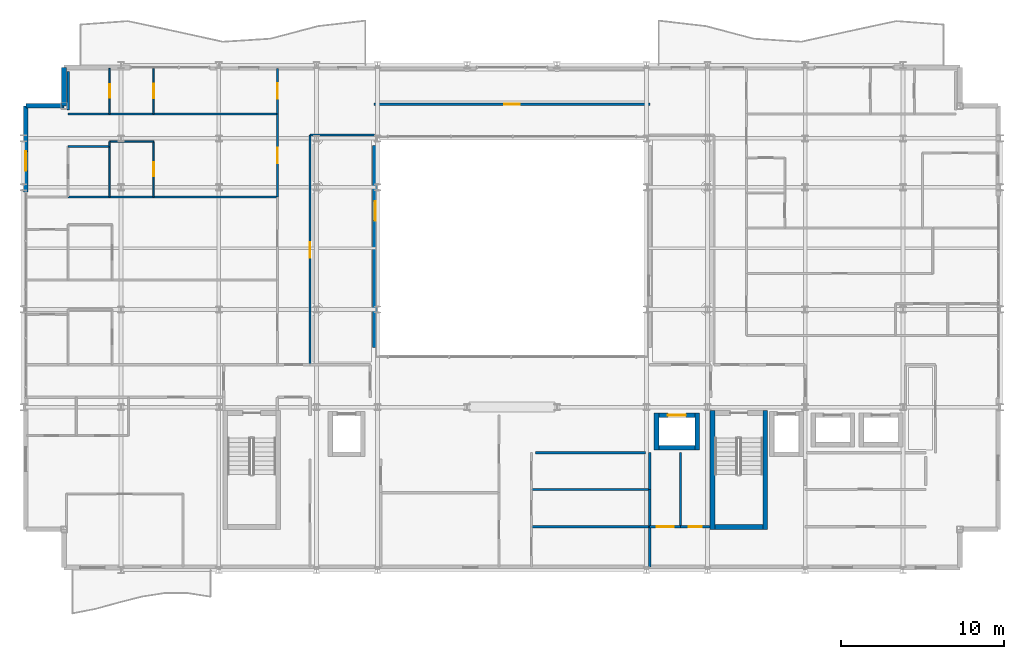
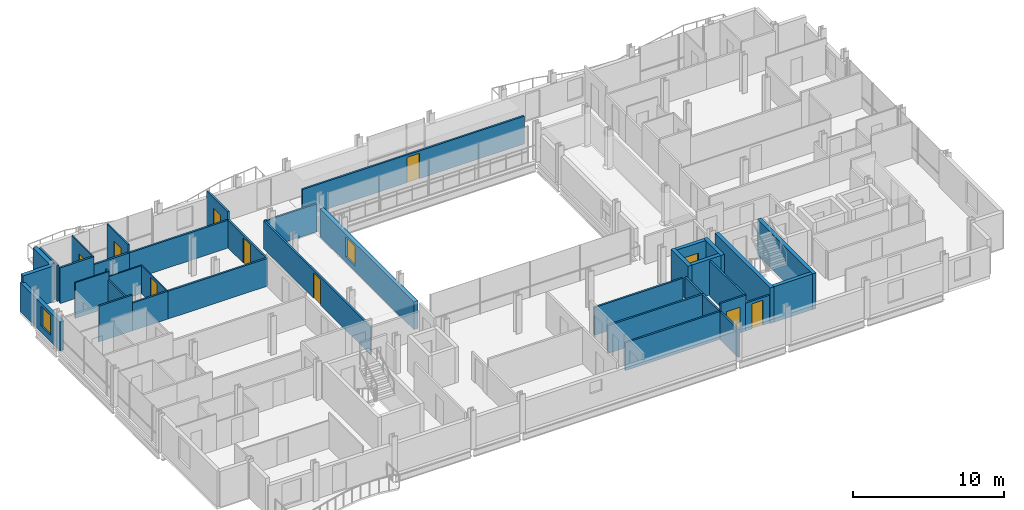
# One storey, part 35 of 41: 39 walls, 10 doors, 2 windows, 12 openings.
"""IFC4 building model written with IfcOpenShell, lengths in metres."""

from ifc_helpers import new_model, si_unit, direction, frame, frame_2d, origin, place, context, subcontext, project, spatial, rectangle, extrude, material, layer, layer_set, type_object, element, fill, save


model = new_model("IFC4")

# Units and contexts
model_context = context("Model", 3, precision=1e-05, world=origin(), true_north=direction((0.0, 1.0)))
body_context = subcontext(model_context, "Body", "Model", "MODEL_VIEW")
ifc_project = project(units=[si_unit("LENGTHUNIT", "METRE"), si_unit("AREAUNIT", "SQUARE_METRE"), si_unit("VOLUMEUNIT", "CUBIC_METRE"), si_unit("PLANEANGLEUNIT", "RADIAN"), si_unit("MASSUNIT", "GRAM", prefix="KILO")], contexts=[model_context])

# Site, building, storey
site_placement = place(None, origin())
site = spatial("IfcSite", under=ifc_project, at=site_placement, CompositionType="ELEMENT")
building_placement = place(site_placement, origin())
building = spatial("IfcBuilding", under=site, at=building_placement, Name="Brevholm Reach", CompositionType="ELEMENT")
storey_placement = place(building_placement, frame((0.0, 0.0, 151.10009765625)))
storey = spatial("IfcBuildingStorey", under=building, at=storey_placement, Name="L45", CompositionType="ELEMENT", Elevation=151.10009765625)

# Walls
ifc_material_1 = material(Name="Concrete C50/60", Category="concrete")
ifc_layer_1 = layer(ifc_material_1, 0.280029296875)
ifc_layer_set_1 = layer_set([ifc_layer_1], Name="Concrete C50/60")
wall_type_1 = type_object("IfcWallType", Name="WAL-COR-280", PredefinedType="SHEAR", material=ifc_layer_set_1)
for number, where, z_axis, x_axis, name in (
    (1, (42.31005859375, 2.5, 0.0), (0.0, 0.0, 1.0), (0.0, 1.0, 0.0), "L45 Escape Stair ST-2 Core Wall W"),
    (2, (45.5400390625, 2.5, 0.0), (0.0, 0.0, 1.0), (0.0, 1.0, 0.0), "L45 Escape Stair ST-2 Core Wall E"),
):
    element("IfcWall", number, at=place(storey_placement, frame(where, z_axis=z_axis, x_axis=x_axis)), inside=storey, type_object=wall_type_1, Name=name, PredefinedType="SHEAR", context=body_context, shape_type="SweptSolid", body=[
        extrude(rectangle(XDim=7.280029296875, YDim=0.280029296875, at=frame_2d((3.64013671875, 0.0))), origin(), (0.0, 0.0, 1.0), 2.8798828125),
    ])
wall_1_placement = place(storey_placement, frame((42.449951171875, 2.639892578125, 0.0), z_axis=(0.0, 0.0, 1.0), x_axis=(1.0, 0.0, 0.0)))
element("IfcWall", 3, at=wall_1_placement, inside=storey, type_object=wall_type_1, Name="L45 Escape Stair ST-2 Core Wall S", PredefinedType="SHEAR", context=body_context, shape_type="SweptSolid", body=[
    extrude(rectangle(XDim=2.949951171875, YDim=0.280029296875, at=frame_2d((1.47509765625, 0.0))), origin(), (0.0, 0.0, 1.0), 2.8798828125),
])
for number, where, z_axis, x_axis, name in (
    (4, (38.8701171875, 7.360107421875, 0.0), (0.0, 0.0, 1.0), (0.0, 1.0, 0.0), "L45 Lift PL-S1 Shaft Wall W"),
    (5, (41.3701171875, 7.360107421875, 0.0), (0.0, 0.0, 1.0), (0.0, 1.0, 0.0), "L45 Lift PL-S1 Shaft Wall E"),
):
    element("IfcWall", number, at=place(storey_placement, frame(where, z_axis=z_axis, x_axis=x_axis)), inside=storey, type_object=wall_type_1, Name=name, PredefinedType="SHEAR", context=body_context, shape_type="SweptSolid", body=[
        extrude(rectangle(XDim=2.27978515625, YDim=0.280029296875, at=frame_2d((1.139892578125, 0.0))), origin(), (0.0, 0.0, 1.0), 2.8798828125),
    ])
wall_2_placement = place(storey_placement, frame((39.010009765625, 7.5, 0.0), z_axis=(0.0, 0.0, 1.0), x_axis=(1.0, 0.0, 0.0)))
element("IfcWall", 6, at=wall_2_placement, inside=storey, type_object=wall_type_1, Name="L45 Lift PL-S1 Shaft Wall S", PredefinedType="SHEAR", context=body_context, shape_type="SweptSolid", body=[
    extrude(rectangle(XDim=2.219970703125, YDim=0.280029296875, at=frame_2d((1.10986328125, 0.0))), origin(), (0.0, 0.0, 1.0), 2.8798828125),
])

# Wall, opening, door
wall_3_placement = place(storey_placement, frame((39.010009765625, 9.5, 0.0), z_axis=(0.0, 0.0, 1.0), x_axis=(1.0, 0.0, 0.0)))
wall_3 = element("IfcWall", 7, at=wall_3_placement, inside=storey, type_object=wall_type_1, Name="L45 Lift PL-S1 Shaft Wall N", PredefinedType="SHEAR", context=body_context, shape_type="SweptSolid", body=[
    extrude(rectangle(XDim=2.219970703125, YDim=0.280029296875, at=frame_2d((1.10986328125, 0.0))), origin(), (0.0, 0.0, 1.0), 2.8798828125),
])
opening_1_placement = place(wall_3_placement, frame((0.56005859375, 0.0, 0.0)))
opening_1 = element("IfcOpeningElement", 8, at=opening_1_placement, cuts=wall_3, Name="Opening LD-PL-S1", PredefinedType="OPENING", context=body_context, shape_type="SweptSolid", body=[
    extrude(rectangle(XDim=1.10009765625, YDim=2.06005859375, at=frame_2d((0.550048828125, 1.030029296875))), frame((0.0, 0.14990234375, 0.0), z_axis=(0.0, -1.0, 0.0), x_axis=(1.0, 0.0, 0.0)), (0.0, 0.0, 1.0), 0.300048828125),
])
ifc_material_2 = material(Name="Brushed Stainless Steel Fire-Rated Sliding Lift Door", Category="steel")
door_type_1 = type_object("IfcDoorType", Name="DOR-LFT-1100", OperationType="NOTDEFINED", PredefinedType="DOOR", material=ifc_material_2)
door_1_placement = place(opening_1_placement, origin())
door_1 = element("IfcDoor", 9, at=door_1_placement, inside=storey, type_object=door_type_1, Name="L45 Lift PL-S1 Sliding Landing Door", OperationType="SLIDING_TO_LEFT", OverallHeight=2.06005859375, OverallWidth=1.10009765625, PredefinedType="DOOR", context=body_context, shape_type="SweptSolid", body=[
    extrude(rectangle(XDim=1.10009765625, YDim=2.06005859375, at=frame_2d((0.550048828125, 1.030029296875))), frame((0.0, 0.02490234375, 0.0), z_axis=(0.0, -1.0, 0.0), x_axis=(1.0, 0.0, 0.0)), (0.0, 0.0, 1.0), 0.050048828125),
])
fill(opening_1, door_1)

# Walls
ifc_material_3 = material(Name="Concrete C40/50", Category="concrete")
ifc_layer_2 = layer(ifc_material_3, 0.300048828125)
ifc_layer_set_2 = layer_set([ifc_layer_2], Name="Concrete C40/50")
wall_type_2 = type_object("IfcWallType", Name="WAL-EXT-300", PredefinedType="STANDARD", material=ifc_layer_set_2)
for number, where, z_axis, x_axis, name in (
    (10, (2.5, 30.85009765625, 0.0), (0.0, 0.0, 1.0), (0.0, -1.0, 0.0), "L45 Facade Wall WAL-L45-CNW1"),
    (11, (2.5, 28.5, 0.0), (0.0, 0.0, 1.0), (-1.0, 0.0, 0.0), "L45 Facade Wall WAL-L45-CNW2"),
):
    element("IfcWall", number, at=place(storey_placement, frame(where, z_axis=z_axis, x_axis=x_axis)), inside=storey, type_object=wall_type_2, Name=name, PredefinedType="STANDARD", context=body_context, shape_type="SweptSolid", body=[
        extrude(rectangle(XDim=2.35009765625, YDim=0.300048828125, at=frame_2d((1.175048828125, 0.0))), origin(), (0.0, 0.0, 1.0), 2.8798828125),
    ])

# Wall, opening, window
wall_4_placement = place(storey_placement, frame((0.14990234375, 28.5, 0.0), z_axis=(0.0, 0.0, 1.0), x_axis=(0.0, -1.0, 0.0)))
wall_4 = element("IfcWall", 12, at=wall_4_placement, inside=storey, type_object=wall_type_2, Name="L45 Facade Wall WAL-L45-W-N", PredefinedType="STANDARD", context=body_context, shape_type="SweptSolid", body=[
    extrude(rectangle(XDim=5.280029296875, YDim=0.300048828125, at=frame_2d((2.64013671875, 0.0))), origin(), (0.0, 0.0, 1.0), 2.32177734375),
])
opening_2_placement = place(wall_4_placement, frame((2.800048828125, 0.0, 0.501953125)))
opening_2 = element("IfcOpeningElement", 13, at=opening_2_placement, cuts=wall_4, Name="Opening WN-08", PredefinedType="OPENING", context=body_context, shape_type="SweptSolid", body=[
    extrude(rectangle(XDim=1.199951171875, YDim=1.60009765625, at=frame_2d((0.60009765625, 0.800048828125))), frame((0.0, 0.159912109375, 0.0), z_axis=(0.0, -1.0, 0.0), x_axis=(1.0, 0.0, 0.0)), (0.0, 0.0, 1.0), 0.320068359375),
])
ifc_material_4 = material(Name="Dark Anodised Aluminium and Solar-Control IGU Glass", Category="aluminium")
window_type = type_object("IfcWindowType", Name="WIN-RES-1200", PartitioningType="SINGLE_PANEL", PredefinedType="WINDOW", material=ifc_material_4)
window_1_placement = place(opening_2_placement, origin())
window_1 = element("IfcWindow", 14, at=window_1_placement, inside=storey, type_object=window_type, Name="L45 Window WIN-L45-WN-1", OverallHeight=1.60009765625, OverallWidth=1.199951171875, PartitioningType="SINGLE_PANEL", PredefinedType="WINDOW", context=body_context, shape_type="SweptSolid", body=[
    extrude(rectangle(XDim=1.199951171875, YDim=1.60009765625, at=frame_2d((0.60009765625, 0.800048828125))), frame((0.0, 0.030029296875, 0.0), z_axis=(0.0, -1.0, 0.0), x_axis=(1.0, 0.0, 0.0)), (0.0, 0.0, 1.0), 0.06005859375),
])
fill(opening_2, window_1)

wall_5_placement = place(storey_placement, frame((21.60009765625, 26.050048828125, 0.0), z_axis=(0.0, 0.0, 1.0), x_axis=(0.0, -1.0, 0.0)))
wall_5 = element("IfcWall", 15, at=wall_5_placement, inside=storey, type_object=wall_type_2, Name="L45 Facade Wall WAL-L45-AT-W", PredefinedType="STANDARD", context=body_context, shape_type="SweptSolid", body=[
    extrude(rectangle(XDim=12.400146484375, YDim=0.300048828125, at=frame_2d((6.2001953125, 0.0))), origin(), (0.0, 0.0, 1.0), 2.24267578125),
])
opening_3_placement = place(wall_5_placement, frame((3.39990234375, 0.0, 0.423095703125)))
opening_3 = element("IfcOpeningElement", 16, at=opening_3_placement, cuts=wall_5, Name="Opening WN-08", PredefinedType="OPENING", context=body_context, shape_type="SweptSolid", body=[
    extrude(rectangle(XDim=1.199951171875, YDim=1.60009765625, at=frame_2d((0.60009765625, 0.800048828125))), frame((0.0, 0.159912109375, 0.0), z_axis=(0.0, -1.0, 0.0), x_axis=(1.0, 0.0, 0.0)), (0.0, 0.0, 1.0), 0.320068359375),
])
window_2_placement = place(opening_3_placement, origin())
window_2 = element("IfcWindow", 17, at=window_2_placement, inside=storey, type_object=window_type, Name="L45 Window WIN-L45-AT-W1", OverallHeight=1.60009765625, OverallWidth=1.199951171875, PartitioningType="SINGLE_PANEL", PredefinedType="WINDOW", context=body_context, shape_type="SweptSolid", body=[
    extrude(rectangle(XDim=1.199951171875, YDim=1.60009765625, at=frame_2d((0.60009765625, 0.800048828125))), frame((0.0, 0.030029296875, 0.0), z_axis=(0.0, -1.0, 0.0), x_axis=(1.0, 0.0, 0.0)), (0.0, 0.0, 1.0), 0.06005859375),
])
fill(opening_3, window_2)

# Walls
ifc_material_5 = material(Name="Moisture-Resistant Acoustic Gypsum Stud Partition 100 mm", Category="gypsum")
ifc_layer_3 = layer(ifc_material_5, 0.10009765625)
ifc_layer_set_3 = layer_set([ifc_layer_3], Name="Moisture-Resistant Acoustic Gypsum Stud Partition 100 mm")
wall_type_3 = type_object("IfcWallType", Name="WAL-PRT-100", PredefinedType="PARTITIONING", material=ifc_layer_set_3)
wall_6_placement = place(storey_placement, frame((5.300048828125, 22.904052734375, 0.0), z_axis=(0.0, 0.0, 1.0), x_axis=(0.0, 1.0, 0.0)))
element("IfcWall", 18, at=wall_6_placement, inside=storey, type_object=wall_type_3, Name="L45 Internal Partition 086", PredefinedType="PARTITIONING", context=body_context, shape_type="SweptSolid", body=[
    extrude(rectangle(XDim=3.095947265625, YDim=0.10009765625, at=frame_2d((1.5478515625, 0.0))), origin(), (0.0, 0.0, 1.0), 2.24267578125),
])
wall_7_placement = place(storey_placement, frame((2.75, 26.0, 0.0), z_axis=(0.0, 0.0, 1.0), x_axis=(1.0, 0.0, 0.0)))
element("IfcWall", 19, at=wall_7_placement, inside=storey, type_object=wall_type_3, Name="L45 Internal Partition 087", PredefinedType="PARTITIONING", context=body_context, shape_type="SweptSolid", body=[
    extrude(rectangle(XDim=2.550048828125, YDim=0.10009765625, at=frame_2d((1.27490234375, 0.0))), origin(), (0.0, 0.0, 1.0), 2.8798828125),
])

# Wall, opening, door
wall_8_placement = place(storey_placement, frame((8.0, 22.904052734375, 0.0), z_axis=(0.0, 0.0, 1.0), x_axis=(0.0, 1.0, 0.0)))
wall_8 = element("IfcWall", 20, at=wall_8_placement, inside=storey, type_object=wall_type_3, Name="L45 Internal Partition 089", PredefinedType="PARTITIONING", context=body_context, shape_type="SweptSolid", body=[
    extrude(rectangle(XDim=3.39599609375, YDim=0.10009765625, at=frame_2d((1.697998046875, 0.0))), origin(), (0.0, 0.0, 1.0), 2.24267578125),
])
opening_4_placement = place(wall_8_placement, frame((1.258056640625, 0.0, 0.0)))
opening_4 = element("IfcOpeningElement", 21, at=opening_4_placement, cuts=wall_8, Name="Opening ID-01", PredefinedType="OPENING", context=body_context, shape_type="SweptSolid", body=[
    extrude(rectangle(XDim=0.8798828125, YDim=2.0400390625, at=frame_2d((0.43994140625, 1.02001953125))), frame((0.0, 0.06005859375, 0.0), z_axis=(0.0, -1.0, 0.0), x_axis=(1.0, 0.0, 0.0)), (0.0, 0.0, 1.0), 0.1201171875),
])
ifc_material_6 = material(Name="Lacquered Ash Solid-Core Acoustic Internal Door", Category="timber")
door_type_2 = type_object("IfcDoorType", Name="DOR-INT-880", OperationType="NOTDEFINED", PredefinedType="DOOR", material=ifc_material_6)
door_2_placement = place(opening_4_placement, origin())
door_2 = element("IfcDoor", 22, at=door_2_placement, inside=storey, type_object=door_type_2, Name="L45 Internal Door 039", OperationType="SINGLE_SWING_LEFT", OverallHeight=2.0400390625, OverallWidth=0.8798828125, PredefinedType="DOOR", context=body_context, shape_type="SweptSolid", body=[
    extrude(rectangle(XDim=0.8798828125, YDim=2.0400390625, at=frame_2d((0.43994140625, 1.02001953125))), frame((0.0, 0.02490234375, 0.0), z_axis=(0.0, -1.0, 0.0), x_axis=(1.0, 0.0, 0.0)), (0.0, 0.0, 1.0), 0.050048828125),
])
fill(opening_4, door_2)

# Walls
wall_9_placement = place(storey_placement, frame((5.300048828125, 26.300048828125, 0.0), z_axis=(0.0, 0.0, 1.0), x_axis=(1.0, 0.0, 0.0)))
element("IfcWall", 23, at=wall_9_placement, inside=storey, type_object=wall_type_3, Name="L45 Internal Partition 090", PredefinedType="PARTITIONING", context=body_context, shape_type="SweptSolid", body=[
    extrude(rectangle(XDim=2.699951171875, YDim=0.10009765625, at=frame_2d((1.35009765625, 0.0))), origin(), (0.0, 0.0, 1.0), 2.24267578125),
])
wall_10_placement = place(storey_placement, frame((5.300048828125, 26.00390625, 0.0), z_axis=(0.0, 0.0, 1.0), x_axis=(0.0, 1.0, 0.0)))
element("IfcWall", 24, at=wall_10_placement, inside=storey, type_object=wall_type_3, Name="L45 Internal Partition 091", PredefinedType="PARTITIONING", context=body_context, shape_type="SweptSolid", body=[
    extrude(rectangle(XDim=0.296142578125, YDim=0.10009765625, at=frame_2d((0.14794921875, 0.0))), origin(), (0.0, 0.0, 1.0), 2.8798828125),
])

# Wall, opening, door
wall_11_placement = place(storey_placement, frame((5.300048828125, 28.00390625, 0.0), z_axis=(0.0, 0.0, 1.0), x_axis=(0.0, 1.0, 0.0)))
wall_11 = element("IfcWall", 25, at=wall_11_placement, inside=storey, type_object=wall_type_3, Name="L45 Internal Partition 114", PredefinedType="PARTITIONING", context=body_context, shape_type="SweptSolid", body=[
    extrude(rectangle(XDim=2.796142578125, YDim=0.10009765625, at=frame_2d((1.39794921875, 0.0))), origin(), (0.0, 0.0, 1.0), 2.8798828125),
])
opening_5_placement = place(wall_11_placement, frame((0.988037109375, 0.0, 0.0)))
opening_5 = element("IfcOpeningElement", 26, at=opening_5_placement, cuts=wall_11, Name="Opening ID-03", PredefinedType="OPENING", context=body_context, shape_type="SweptSolid", body=[
    extrude(rectangle(XDim=0.820068359375, YDim=2.02001953125, at=frame_2d((0.41015625, 1.010009765625))), frame((0.0, 0.06005859375, 0.0), z_axis=(0.0, -1.0, 0.0), x_axis=(1.0, 0.0, 0.0)), (0.0, 0.0, 1.0), 0.1201171875),
])
ifc_material_7 = material(Name="Moisture-Resistant Painted Timber Internal Bathroom Door", Category="wood")
door_type_3 = type_object("IfcDoorType", Name="DOR-BATH-820", OperationType="NOTDEFINED", PredefinedType="DOOR", material=ifc_material_7)
door_3_placement = place(opening_5_placement, origin())
door_3 = element("IfcDoor", 27, at=door_3_placement, inside=storey, type_object=door_type_3, Name="L45 Access Door 049", OperationType="SINGLE_SWING_LEFT", OverallHeight=2.02001953125, OverallWidth=0.820068359375, PredefinedType="DOOR", context=body_context, shape_type="SweptSolid", body=[
    extrude(rectangle(XDim=0.820068359375, YDim=2.02001953125, at=frame_2d((0.41015625, 1.010009765625))), frame((0.0, 0.02490234375, 0.0), z_axis=(0.0, -1.0, 0.0), x_axis=(1.0, 0.0, 0.0)), (0.0, 0.0, 1.0), 0.050048828125),
])
fill(opening_5, door_3)

wall_12_placement = place(storey_placement, frame((8.0, 28.00390625, 0.0), z_axis=(0.0, 0.0, 1.0), x_axis=(0.0, 1.0, 0.0)))
wall_12 = element("IfcWall", 28, at=wall_12_placement, inside=storey, type_object=wall_type_3, Name="L45 Internal Partition 115", PredefinedType="PARTITIONING", context=body_context, shape_type="SweptSolid", body=[
    extrude(rectangle(XDim=2.796142578125, YDim=0.10009765625, at=frame_2d((1.39794921875, 0.0))), origin(), (0.0, 0.0, 1.0), 2.8798828125),
])
opening_6_placement = place(wall_12_placement, frame((0.9580078125, 0.0, 0.0)))
opening_6 = element("IfcOpeningElement", 29, at=opening_6_placement, cuts=wall_12, Name="Opening ID-01", PredefinedType="OPENING", context=body_context, shape_type="SweptSolid", body=[
    extrude(rectangle(XDim=0.8798828125, YDim=2.0400390625, at=frame_2d((0.43994140625, 1.02001953125))), frame((0.0, 0.06005859375, 0.0), z_axis=(0.0, -1.0, 0.0), x_axis=(1.0, 0.0, 0.0)), (0.0, 0.0, 1.0), 0.1201171875),
])
door_4_placement = place(opening_6_placement, origin())
door_4 = element("IfcDoor", 30, at=door_4_placement, inside=storey, type_object=door_type_2, Name="L45 Internal Door 046", OperationType="SINGLE_SWING_RIGHT", OverallHeight=2.0400390625, OverallWidth=0.8798828125, PredefinedType="DOOR", context=body_context, shape_type="SweptSolid", body=[
    extrude(rectangle(XDim=0.8798828125, YDim=2.0400390625, at=frame_2d((0.43994140625, 1.02001953125))), frame((0.0, 0.02490234375, 0.0), z_axis=(0.0, -1.0, 0.0), x_axis=(1.0, 0.0, 0.0)), (0.0, 0.0, 1.0), 0.050048828125),
])
fill(opening_6, door_4)

# Walls
ifc_material_8 = material(Name="Twin-Stud Acoustic Fire-Rated Gypsum Partition 140 mm", Category="gypsum")
ifc_layer_4 = layer(ifc_material_8, 0.139892578125)
ifc_layer_set_4 = layer_set([ifc_layer_4], Name="Twin-Stud Acoustic Fire-Rated Gypsum Partition 140 mm")
wall_type_4 = type_object("IfcWallType", Name="WAL-PRT-140", PredefinedType="PARTITIONING", material=ifc_layer_set_4)
wall_13_placement = place(storey_placement, frame((31.2041015625, 2.64990234375, 0.0), z_axis=(0.0, 0.0, 1.0), x_axis=(1.0, 0.0, 0.0)))
element("IfcWall", 31, at=wall_13_placement, inside=storey, type_object=wall_type_4, Name="L45 Internal Partition 009", PredefinedType="PARTITIONING", context=body_context, shape_type="SweptSolid", body=[
    extrude(rectangle(XDim=7.245849609375, YDim=0.139892578125, at=frame_2d((3.623046875, 0.0))), origin(), (0.0, 0.0, 1.0), 2.24267578125),
])
wall_14_placement = place(storey_placement, frame((38.449951171875, 0.179931640625, 0.0), z_axis=(0.0, 0.0, 1.0), x_axis=(0.0, 1.0, 0.0)))
element("IfcWall", 32, at=wall_14_placement, inside=storey, type_object=wall_type_4, Name="L45 Internal Partition 010", PredefinedType="PARTITIONING", context=body_context, shape_type="SweptSolid", body=[
    extrude(rectangle(XDim=2.469970703125, YDim=0.139892578125, at=frame_2d((1.23486328125, 0.0))), origin(), (0.0, 0.0, 1.0), 2.24267578125),
])
wall_15_placement = place(storey_placement, frame((31.2041015625, 4.949951171875, 0.0), z_axis=(0.0, 0.0, 1.0), x_axis=(1.0, 0.0, 0.0)))
element("IfcWall", 33, at=wall_15_placement, inside=storey, type_object=wall_type_4, Name="L45 Internal Partition 011", PredefinedType="PARTITIONING", context=body_context, shape_type="SweptSolid", body=[
    extrude(rectangle(XDim=7.245849609375, YDim=0.139892578125, at=frame_2d((3.623046875, 0.0))), origin(), (0.0, 0.0, 1.0), 2.24267578125),
])
wall_16_placement = place(storey_placement, frame((38.449951171875, 2.654052734375, 0.0), z_axis=(0.0, 0.0, 1.0), x_axis=(0.0, 1.0, 0.0)))
element("IfcWall", 34, at=wall_16_placement, inside=storey, type_object=wall_type_4, Name="L45 Internal Partition 012", PredefinedType="PARTITIONING", context=body_context, shape_type="SweptSolid", body=[
    extrude(rectangle(XDim=2.2958984375, YDim=0.139892578125, at=frame_2d((1.14794921875, 0.0))), origin(), (0.0, 0.0, 1.0), 2.24267578125),
])
wall_17_placement = place(storey_placement, frame((38.449951171875, 4.9541015625, 0.0), z_axis=(0.0, 0.0, 1.0), x_axis=(0.0, 1.0, 0.0)))
element("IfcWall", 35, at=wall_17_placement, inside=storey, type_object=wall_type_4, Name="L45 Internal Partition 013", PredefinedType="PARTITIONING", context=body_context, shape_type="SweptSolid", body=[
    extrude(rectangle(XDim=2.245849609375, YDim=0.139892578125, at=frame_2d((1.123046875, 0.0))), origin(), (0.0, 0.0, 1.0), 2.24267578125),
])

# Wall, opening, door
wall_18_placement = place(storey_placement, frame((38.4541015625, 2.64990234375, 0.0), z_axis=(0.0, 0.0, 1.0), x_axis=(1.0, 0.0, 0.0)))
wall_18 = element("IfcWall", 36, at=wall_18_placement, inside=storey, type_object=wall_type_4, Name="L45 Internal Partition 015", PredefinedType="PARTITIONING", context=body_context, shape_type="SweptSolid", body=[
    extrude(rectangle(XDim=1.9072265625, YDim=0.139892578125, at=frame_2d((0.95361328125, 0.0))), origin(), (0.0, 0.0, 1.0), 2.8798828125),
])
opening_7_placement = place(wall_18_placement, frame((0.4287109375, 0.0, 0.0)))
opening_7 = element("IfcOpeningElement", 37, at=opening_7_placement, cuts=wall_18, Name="Opening FD-01", PredefinedType="OPENING", context=body_context, shape_type="SweptSolid", body=[
    extrude(rectangle(XDim=1.050048828125, YDim=2.06005859375, at=frame_2d((0.52490234375, 1.030029296875))), frame((0.0, 0.079833984375, 0.0), z_axis=(0.0, -1.0, 0.0), x_axis=(1.0, 0.0, 0.0)), (0.0, 0.0, 1.0), 0.159912109375),
])
ifc_material_9 = material(Name="Hardwood-Lipped Steel-Core Fire and Smoke Door", Category="steel")
door_type_4 = type_object("IfcDoorType", Name="DOR-INT-FD60S", OperationType="NOTDEFINED", PredefinedType="DOOR", material=ifc_material_9)
door_5_placement = place(opening_7_placement, origin())
door_5 = element("IfcDoor", 38, at=door_5_placement, inside=storey, type_object=door_type_4, Name="L45 Internal Door 008", OperationType="SINGLE_SWING_RIGHT", OverallHeight=2.06005859375, OverallWidth=1.050048828125, PredefinedType="DOOR", context=body_context, shape_type="SweptSolid", body=[
    extrude(rectangle(XDim=1.050048828125, YDim=2.06005859375, at=frame_2d((0.52490234375, 1.030029296875))), frame((0.0, 0.02490234375, 0.0), z_axis=(0.0, -1.0, 0.0), x_axis=(1.0, 0.0, 0.0)), (0.0, 0.0, 1.0), 0.050048828125),
])
fill(opening_7, door_5)

wall_19_placement = place(storey_placement, frame((40.3427734375, 2.64990234375, 0.0), z_axis=(0.0, 0.0, 1.0), x_axis=(1.0, 0.0, 0.0)))
wall_19 = element("IfcWall", 39, at=wall_19_placement, inside=storey, type_object=wall_type_4, Name="L45 Internal Partition 016", PredefinedType="PARTITIONING", context=body_context, shape_type="SweptSolid", body=[
    extrude(rectangle(XDim=1.817138671875, YDim=0.139892578125, at=frame_2d((0.90869140625, 0.0))), origin(), (0.0, 0.0, 1.0), 2.24267578125),
])
opening_8_placement = place(wall_19_placement, frame((0.49853515625, 0.0, 0.0)))
opening_8 = element("IfcOpeningElement", 40, at=opening_8_placement, cuts=wall_19, Name="Opening ID-02", PredefinedType="OPENING", context=body_context, shape_type="SweptSolid", body=[
    extrude(rectangle(XDim=0.820068359375, YDim=2.02001953125, at=frame_2d((0.41015625, 1.010009765625))), frame((0.0, 0.079833984375, 0.0), z_axis=(0.0, -1.0, 0.0), x_axis=(1.0, 0.0, 0.0)), (0.0, 0.0, 1.0), 0.159912109375),
])
ifc_material_10 = material(Name="Moisture-Resistant Painted Timber Fire-Rated Riser and Service Door", Category="wood")
door_type_5 = type_object("IfcDoorType", Name="DOR-SRV-820", OperationType="NOTDEFINED", PredefinedType="DOOR", material=ifc_material_10)
door_6_placement = place(opening_8_placement, origin())
door_6 = element("IfcDoor", 41, at=door_6_placement, inside=storey, type_object=door_type_5, Name="L45 Internal Door 009", OperationType="SINGLE_SWING_LEFT", OverallHeight=2.02001953125, OverallWidth=0.820068359375, PredefinedType="DOOR", context=body_context, shape_type="SweptSolid", body=[
    extrude(rectangle(XDim=0.820068359375, YDim=2.02001953125, at=frame_2d((0.41015625, 1.010009765625))), frame((0.0, 0.02490234375, 0.0), z_axis=(0.0, -1.0, 0.0), x_axis=(1.0, 0.0, 0.0)), (0.0, 0.0, 1.0), 0.050048828125),
])
fill(opening_8, door_6)

# Wall
wall_20_placement = place(storey_placement, frame((40.35009765625, 2.654052734375, 0.0), z_axis=(0.0, 0.0, 1.0), x_axis=(0.0, 1.0, 0.0)))
element("IfcWall", 42, at=wall_20_placement, inside=storey, type_object=wall_type_4, Name="L45 Internal Partition 022", PredefinedType="PARTITIONING", context=body_context, shape_type="SweptSolid", body=[
    extrude(rectangle(XDim=4.5458984375, YDim=0.139892578125, at=frame_2d((2.27294921875, 0.0))), origin(), (0.0, 0.0, 1.0), 2.8798828125),
])

# Wall, opening, door
wall_21_placement = place(storey_placement, frame((15.60009765625, 22.892578125, 0.0), z_axis=(0.0, 0.0, 1.0), x_axis=(0.0, 1.0, 0.0)))
wall_21 = element("IfcWall", 43, at=wall_21_placement, inside=storey, type_object=wall_type_4, Name="L45 Internal Partition 040", PredefinedType="PARTITIONING", context=body_context, shape_type="SweptSolid", body=[
    extrude(rectangle(XDim=5.11865234375, YDim=0.139892578125, at=frame_2d((2.559326171875, 0.0))), origin(), (0.0, 0.0, 1.0), 2.24267578125),
])
opening_9_placement = place(wall_21_placement, frame((2.084228515625, 0.0, 0.0)))
opening_9 = element("IfcOpeningElement", 44, at=opening_9_placement, cuts=wall_21, Name="Opening ID-30", PredefinedType="OPENING", context=body_context, shape_type="SweptSolid", body=[
    extrude(rectangle(XDim=0.949951171875, YDim=2.050048828125, at=frame_2d((0.47509765625, 1.02490234375))), frame((0.0, 0.079833984375, 0.0), z_axis=(0.0, -1.0, 0.0), x_axis=(1.0, 0.0, 0.0)), (0.0, 0.0, 1.0), 0.159912109375),
])
ifc_material_11 = material(Name="European Oak Veneered Solid-Core Fire Entrance Door", Category="timber")
door_type_6 = type_object("IfcDoorType", Name="DOR-FLT-FD30S", OperationType="NOTDEFINED", PredefinedType="DOOR", material=ifc_material_11)
door_7_placement = place(opening_9_placement, origin())
door_7 = element("IfcDoor", 45, at=door_7_placement, inside=storey, type_object=door_type_6, Name="L45 Internal Door 023", OperationType="SINGLE_SWING_LEFT", OverallHeight=2.050048828125, OverallWidth=0.949951171875, PredefinedType="DOOR", context=body_context, shape_type="SweptSolid", body=[
    extrude(rectangle(XDim=0.949951171875, YDim=2.050048828125, at=frame_2d((0.47509765625, 1.02490234375))), frame((0.0, 0.02490234375, 0.0), z_axis=(0.0, -1.0, 0.0), x_axis=(1.0, 0.0, 0.0)), (0.0, 0.0, 1.0), 0.050048828125),
])
fill(opening_9, door_7)

wall_22_placement = place(storey_placement, frame((17.60009765625, 12.60400390625, 0.0), z_axis=(0.0, 0.0, 1.0), x_axis=(0.0, 1.0, 0.0)))
wall_22 = element("IfcWall", 46, at=wall_22_placement, inside=storey, type_object=wall_type_4, Name="L45 Internal Partition 041", PredefinedType="PARTITIONING", context=body_context, shape_type="SweptSolid", body=[
    extrude(rectangle(XDim=14.103271484375, YDim=0.139892578125, at=frame_2d((7.0517578125, 0.0))), origin(), (0.0, 0.0, 1.0), 2.24267578125),
])
opening_10_placement = place(wall_22_placement, frame((6.57666015625, 0.0, 0.0)))
opening_10 = element("IfcOpeningElement", 47, at=opening_10_placement, cuts=wall_22, Name="Opening ID-30", PredefinedType="OPENING", context=body_context, shape_type="SweptSolid", body=[
    extrude(rectangle(XDim=0.949951171875, YDim=2.050048828125, at=frame_2d((0.47509765625, 1.02490234375))), frame((0.0, 0.079833984375, 0.0), z_axis=(0.0, -1.0, 0.0), x_axis=(1.0, 0.0, 0.0)), (0.0, 0.0, 1.0), 0.159912109375),
])
door_8_placement = place(opening_10_placement, origin())
door_8 = element("IfcDoor", 48, at=door_8_placement, inside=storey, type_object=door_type_6, Name="L45 Internal Door 024", OperationType="SINGLE_SWING_RIGHT", OverallHeight=2.050048828125, OverallWidth=0.949951171875, PredefinedType="DOOR", context=body_context, shape_type="SweptSolid", body=[
    extrude(rectangle(XDim=0.949951171875, YDim=2.050048828125, at=frame_2d((0.47509765625, 1.02490234375))), frame((0.0, 0.02490234375, 0.0), z_axis=(0.0, -1.0, 0.0), x_axis=(1.0, 0.0, 0.0)), (0.0, 0.0, 1.0), 0.050048828125),
])
fill(opening_10, door_8)

wall_23_placement = place(storey_placement, frame((15.60009765625, 27.99267578125, 0.0), z_axis=(0.0, 0.0, 1.0), x_axis=(0.0, 1.0, 0.0)))
wall_23 = element("IfcWall", 49, at=wall_23_placement, inside=storey, type_object=wall_type_4, Name="L45 Internal Partition 042", PredefinedType="PARTITIONING", context=body_context, shape_type="SweptSolid", body=[
    extrude(rectangle(XDim=2.807373046875, YDim=0.139892578125, at=frame_2d((1.40380859375, 0.0))), origin(), (0.0, 0.0, 1.0), 2.8798828125),
])
opening_11_placement = place(wall_23_placement, frame((0.9287109375, 0.0, 0.0)))
opening_11 = element("IfcOpeningElement", 50, at=opening_11_placement, cuts=wall_23, Name="Opening ID-30", PredefinedType="OPENING", context=body_context, shape_type="SweptSolid", body=[
    extrude(rectangle(XDim=0.949951171875, YDim=2.050048828125, at=frame_2d((0.47509765625, 1.02490234375))), frame((0.0, 0.079833984375, 0.0), z_axis=(0.0, -1.0, 0.0), x_axis=(1.0, 0.0, 0.0)), (0.0, 0.0, 1.0), 0.159912109375),
])
door_9_placement = place(opening_11_placement, origin())
door_9 = element("IfcDoor", 51, at=door_9_placement, inside=storey, type_object=door_type_6, Name="L45 Internal Door 025", OperationType="SINGLE_SWING_LEFT", OverallHeight=2.050048828125, OverallWidth=0.949951171875, PredefinedType="DOOR", context=body_context, shape_type="SweptSolid", body=[
    extrude(rectangle(XDim=0.949951171875, YDim=2.050048828125, at=frame_2d((0.47509765625, 1.02490234375))), frame((0.0, 0.02490234375, 0.0), z_axis=(0.0, -1.0, 0.0), x_axis=(1.0, 0.0, 0.0)), (0.0, 0.0, 1.0), 0.050048828125),
])
fill(opening_11, door_9)

# Wall
wall_24_placement = place(storey_placement, frame((17.60400390625, 26.699951171875, 0.0), z_axis=(0.0, 0.0, 1.0), x_axis=(1.0, 0.0, 0.0)))
element("IfcWall", 52, at=wall_24_placement, inside=storey, type_object=wall_type_4, Name="L45 Internal Partition 053", PredefinedType="PARTITIONING", context=body_context, shape_type="SweptSolid", body=[
    extrude(rectangle(XDim=3.957275390625, YDim=0.139892578125, at=frame_2d((1.978515625, 0.0))), origin(), (0.0, 0.0, 1.0), 2.24267578125),
])

# Wall, opening, door
wall_25_placement = place(storey_placement, frame((21.542724609375, 28.60009765625, 0.0), z_axis=(0.0, 0.0, 1.0), x_axis=(1.0, 0.0, 0.0)))
wall_25 = element("IfcWall", 53, at=wall_25_placement, inside=storey, type_object=wall_type_4, Name="L45 Internal Partition 055", PredefinedType="PARTITIONING", context=body_context, shape_type="SweptSolid", body=[
    extrude(rectangle(XDim=16.91455078125, YDim=0.139892578125, at=frame_2d((8.457275390625, 0.0))), origin(), (0.0, 0.0, 1.0), 2.24267578125),
])
opening_12_placement = place(wall_25_placement, frame((7.982421875, 0.0, 0.0)))
opening_12 = element("IfcOpeningElement", 54, at=opening_12_placement, cuts=wall_25, Name="Opening ID-30", PredefinedType="OPENING", context=body_context, shape_type="SweptSolid", body=[
    extrude(rectangle(XDim=0.949951171875, YDim=2.050048828125, at=frame_2d((0.47509765625, 1.02490234375))), frame((0.0, 0.079833984375, 0.0), z_axis=(0.0, -1.0, 0.0), x_axis=(1.0, 0.0, 0.0)), (0.0, 0.0, 1.0), 0.159912109375),
])
door_10_placement = place(opening_12_placement, origin())
door_10 = element("IfcDoor", 55, at=door_10_placement, inside=storey, type_object=door_type_6, Name="L45 Internal Door 029", OperationType="SINGLE_SWING_LEFT", OverallHeight=2.050048828125, OverallWidth=0.949951171875, PredefinedType="DOOR", context=body_context, shape_type="SweptSolid", body=[
    extrude(rectangle(XDim=0.949951171875, YDim=2.050048828125, at=frame_2d((0.47509765625, 1.02490234375))), frame((0.0, 0.02490234375, 0.0), z_axis=(0.0, -1.0, 0.0), x_axis=(1.0, 0.0, 0.0)), (0.0, 0.0, 1.0), 0.050048828125),
])
fill(opening_12, door_10)

# Walls
wall_26_placement = place(storey_placement, frame((2.73876953125, 22.89990234375, 0.0), z_axis=(0.0, 0.0, 1.0), x_axis=(1.0, 0.0, 0.0)))
element("IfcWall", 56, at=wall_26_placement, inside=storey, type_object=wall_type_4, Name="L45 Internal Partition 082", PredefinedType="PARTITIONING", context=body_context, shape_type="SweptSolid", body=[
    extrude(rectangle(XDim=2.572509765625, YDim=0.139892578125, at=frame_2d((1.2861328125, 0.0))), origin(), (0.0, 0.0, 1.0), 2.8798828125),
])
wall_27_placement = place(storey_placement, frame((5.292724609375, 22.89990234375, 0.0), z_axis=(0.0, 0.0, 1.0), x_axis=(1.0, 0.0, 0.0)))
element("IfcWall", 57, at=wall_27_placement, inside=storey, type_object=wall_type_4, Name="L45 Internal Partition 083", PredefinedType="PARTITIONING", context=body_context, shape_type="SweptSolid", body=[
    extrude(rectangle(XDim=2.718505859375, YDim=0.139892578125, at=frame_2d((1.359375, 0.0))), origin(), (0.0, 0.0, 1.0), 2.24267578125),
])
wall_28_placement = place(storey_placement, frame((7.99267578125, 22.89990234375, 0.0), z_axis=(0.0, 0.0, 1.0), x_axis=(1.0, 0.0, 0.0)))
element("IfcWall", 58, at=wall_28_placement, inside=storey, type_object=wall_type_4, Name="L45 Internal Partition 084", PredefinedType="PARTITIONING", context=body_context, shape_type="SweptSolid", body=[
    extrude(rectangle(XDim=7.603271484375, YDim=0.139892578125, at=frame_2d((3.8017578125, 0.0))), origin(), (0.0, 0.0, 1.0), 2.24267578125),
])
wall_29_placement = place(storey_placement, frame((2.73876953125, 28.0, 0.0), z_axis=(0.0, 0.0, 1.0), x_axis=(1.0, 0.0, 0.0)))
element("IfcWall", 59, at=wall_29_placement, inside=storey, type_object=wall_type_4, Name="L45 Internal Partition 092", PredefinedType="PARTITIONING", context=body_context, shape_type="SweptSolid", body=[
    extrude(rectangle(XDim=2.572509765625, YDim=0.139892578125, at=frame_2d((1.2861328125, 0.0))), origin(), (0.0, 0.0, 1.0), 2.8798828125),
])
wall_30_placement = place(storey_placement, frame((5.292724609375, 28.0, 0.0), z_axis=(0.0, 0.0, 1.0), x_axis=(1.0, 0.0, 0.0)))
element("IfcWall", 60, at=wall_30_placement, inside=storey, type_object=wall_type_4, Name="L45 Internal Partition 093", PredefinedType="PARTITIONING", context=body_context, shape_type="SweptSolid", body=[
    extrude(rectangle(XDim=2.718505859375, YDim=0.139892578125, at=frame_2d((1.359375, 0.0))), origin(), (0.0, 0.0, 1.0), 2.24267578125),
])
wall_31_placement = place(storey_placement, frame((7.99267578125, 28.0, 0.0), z_axis=(0.0, 0.0, 1.0), x_axis=(1.0, 0.0, 0.0)))
element("IfcWall", 61, at=wall_31_placement, inside=storey, type_object=wall_type_4, Name="L45 Internal Partition 094", PredefinedType="PARTITIONING", context=body_context, shape_type="SweptSolid", body=[
    extrude(rectangle(XDim=7.603271484375, YDim=0.139892578125, at=frame_2d((3.8017578125, 0.0))), origin(), (0.0, 0.0, 1.0), 2.24267578125),
])
wall_32_placement = place(storey_placement, frame((31.43994140625, 7.199951171875, 0.0), z_axis=(0.0, 0.0, 1.0), x_axis=(1.0, 0.0, 0.0)))
element("IfcWall", 62, at=wall_32_placement, inside=storey, type_object=wall_type_4, Name="L45 Internal Partition 118", PredefinedType="PARTITIONING", context=body_context, shape_type="SweptSolid", body=[
    extrude(rectangle(XDim=6.77001953125, YDim=0.139892578125, at=frame_2d((3.385009765625, 0.0))), origin(), (0.0, 0.0, 1.0), 2.24267578125),
])
wall_33_placement = place(storey_placement, frame((2.75, 28.239990234375, 0.0), z_axis=(0.0, 0.0, 1.0), x_axis=(0.0, 1.0, 0.0)))
element("IfcWall", 63, at=wall_33_placement, inside=storey, type_object=wall_type_4, Name="L45 Internal Partition 122", PredefinedType="PARTITIONING", context=body_context, shape_type="SweptSolid", body=[
    extrude(rectangle(XDim=2.3701171875, YDim=0.139892578125, at=frame_2d((1.18505859375, 0.0))), origin(), (0.0, 0.0, 1.0), 2.8798828125),
])

save(model, "model.ifc")
